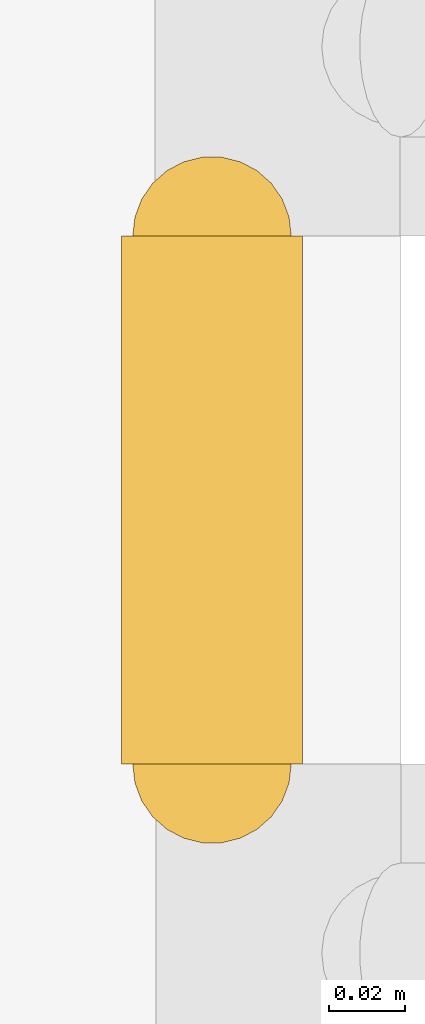
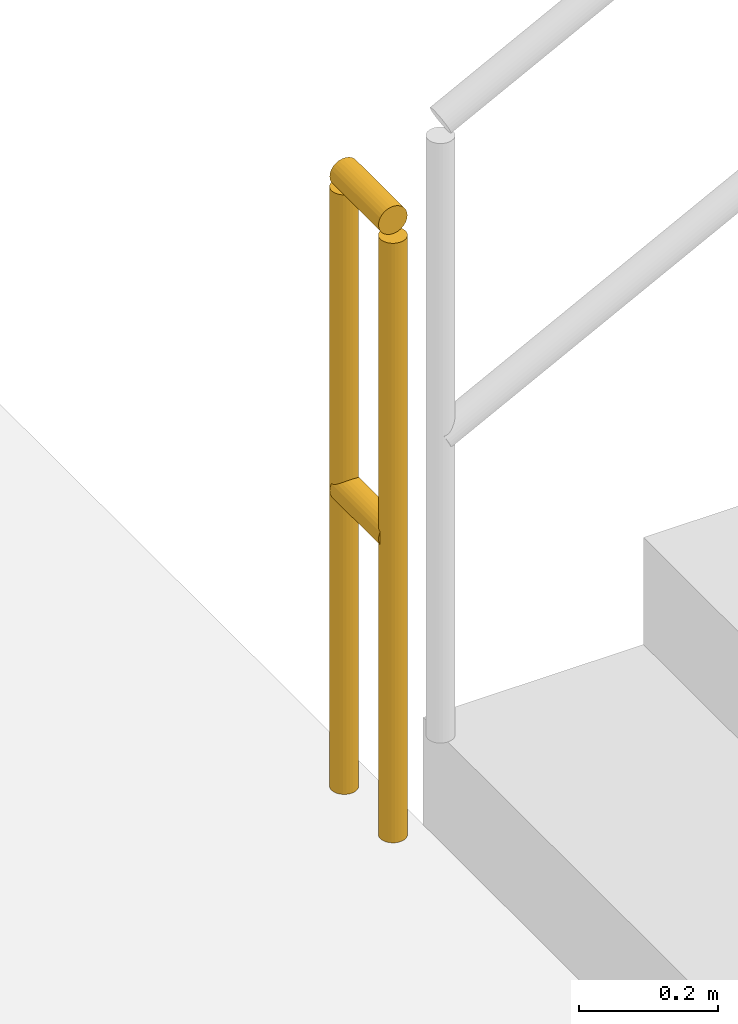
# One storey, part 115 of 124: 1 railing.
"""IFC4 building model written with IfcOpenShell, lengths in metres."""

from ifc_helpers import new_model, si_unit, direction, frame, origin, origin_2d, place, context, subcontext, project, spatial, circle, extrude, material, type_object, element, save


model = new_model("IFC4")

# Units and contexts
model_context = context("Model", 3, precision=1e-05, world=origin(), true_north=direction((0.0, 1.0)))
body_context = subcontext(model_context, "Body", "Model", "MODEL_VIEW")
ifc_project = project(units=[si_unit("LENGTHUNIT", "METRE"), si_unit("AREAUNIT", "SQUARE_METRE"), si_unit("VOLUMEUNIT", "CUBIC_METRE"), si_unit("PLANEANGLEUNIT", "RADIAN"), si_unit("MASSUNIT", "GRAM", prefix="KILO")], contexts=[model_context])

# Site, building, storey
site_placement = place(None, origin())
site = spatial("IfcSite", under=ifc_project, at=site_placement, CompositionType="ELEMENT")
building_placement = place(site_placement, origin())
building = spatial("IfcBuilding", under=site, at=building_placement, Name="Danafjord Basin Convention Centre", CompositionType="ELEMENT")
storey_placement = place(building_placement, origin())
storey = spatial("IfcBuildingStorey", under=building, at=storey_placement, Name="L00", CompositionType="ELEMENT", Elevation=0.0)

# Railing
ifc_material = material(Name="Galvanised steel S355", Category="steel")
railing_type = type_object("IfcRailingType", Name="RL-GD-WELL", PredefinedType="BALUSTRADE", material=ifc_material)
railing_placement = place(storey_placement, frame((189.030029296875, 12.31005859375, 0.0)))
element("IfcRailing", 1, at=railing_placement, inside=storey, type_object=railing_type, Name="L00 ST-15 stair guard 4", PredefinedType="BALUSTRADE", context=body_context, shape_type="SweptSolid", body=[
    extrude(circle(Radius=0.02392578125, at=origin_2d()), frame((0.0, 0.0, 1.076171875), z_axis=(0.0, 1.0, 0.0), x_axis=(-1.0, 0.0, 0.0)), (0.0, 0.0, 1.0), 0.139892578125),
    extrude(circle(Radius=0.02392578125, at=origin_2d()), frame((0.0, 0.0, 0.52587890625), z_axis=(0.0, 1.0, 0.0), x_axis=(-1.0, 0.0, 0.0)), (0.0, 0.0, 1.0), 0.139892578125),
    extrude(circle(Radius=0.02099609375, at=origin_2d()), origin(), (0.0, 0.0, 1.0), 1.050048828125),
    extrude(circle(Radius=0.02099609375, at=origin_2d()), frame((0.0, 0.139892578125, 0.0)), (0.0, 0.0, 1.0), 1.050048828125),
])

save(model, "model.ifc")
